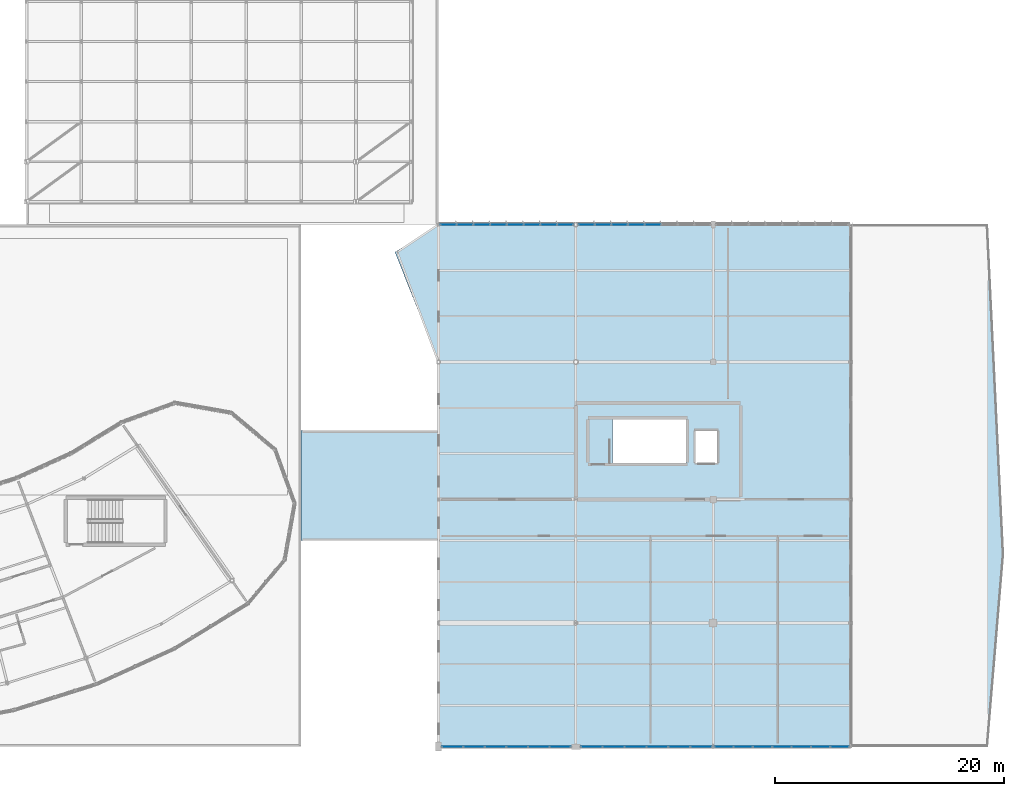
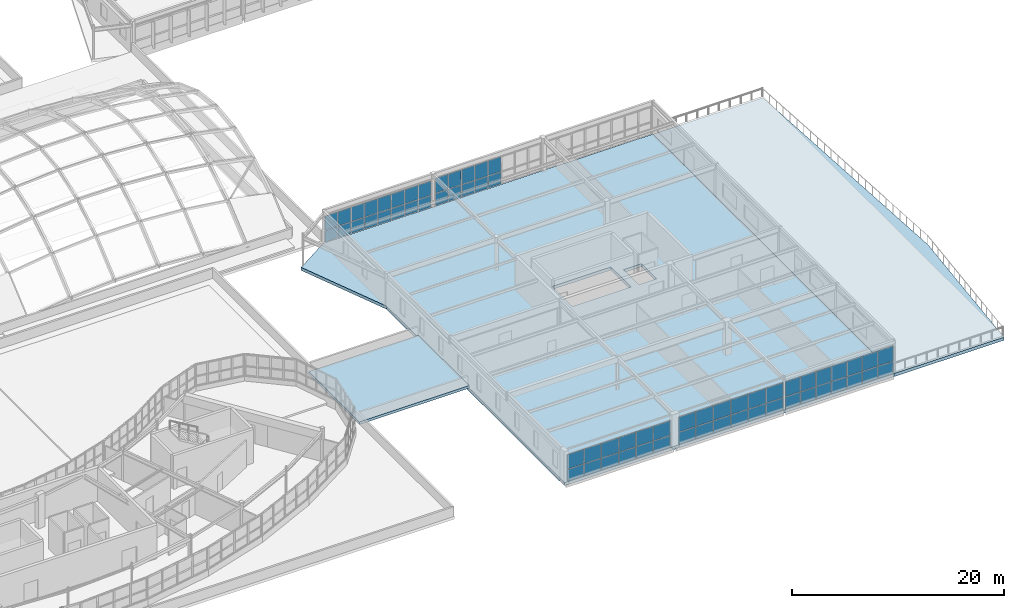
# One storey, part 80 of 128: 64 plates, 3 slabs, 5 elements without a shape of their own.
"""IFC4 building model written with IfcOpenShell, lengths in metres."""

from ifc_helpers import new_model, si_unit, direction, frame, origin, origin_2d, place, context, subcontext, project, spatial, polyline, rectangle, outline, extrude, material, layer, layer_set, type_object, element, aggregate, save


model = new_model("IFC4")

# Units and contexts
model_context = context("Model", 3, precision=1e-05, world=origin(), true_north=direction((0.0, 1.0)))
body_context = subcontext(model_context, "Body", "Model", "MODEL_VIEW")
ifc_project = project(units=[si_unit("LENGTHUNIT", "METRE"), si_unit("AREAUNIT", "SQUARE_METRE"), si_unit("VOLUMEUNIT", "CUBIC_METRE"), si_unit("PLANEANGLEUNIT", "RADIAN"), si_unit("MASSUNIT", "GRAM", prefix="KILO")], contexts=[model_context])

# Site, building, storey
site_placement = place(None, origin())
site = spatial("IfcSite", under=ifc_project, at=site_placement, CompositionType="ELEMENT")
building_placement = place(site_placement, origin())
building = spatial("IfcBuilding", under=site, at=building_placement, Name="Tarnwether General Hospital", CompositionType="ELEMENT")
storey_placement = place(building_placement, frame((0.0, 0.0, 14.39990234375)))
storey = spatial("IfcBuildingStorey", under=building, at=storey_placement, Name="L03", CompositionType="ELEMENT", Elevation=14.39990234375)

# Curtain wall, plates
ifc_material_1 = material(Name="Anodised aluminium", Category="aluminium")
ifc_layer_1 = layer(ifc_material_1, 0.159912109375)
ifc_layer_set_1 = layer_set([ifc_layer_1], Name="Anodised aluminium")
curtain_wall_type_1 = type_object("IfcCurtainWallType", Name="CW-18", PredefinedType="NOTDEFINED", material=ifc_layer_set_1)
curtain_wall_1_placement = place(storey_placement, origin())
curtain_wall_1 = element("IfcCurtainWall", 1, at=curtain_wall_1_placement, inside=storey, type_object=curtain_wall_type_1, Name="Curtain Wall CWG-L03-1441_456-0476", PredefinedType="NOTDEFINED")
ifc_material_2 = material(Name="Double glazed low-E glass", Category="glass")
ifc_layer_2 = layer(ifc_material_2, 0.028076171875)
ifc_layer_set_2 = layer_set([ifc_layer_2], Name="Double glazed low-E glass")
plate_type = type_object("IfcPlateType", Name="PT-CWP1", PredefinedType="CURTAIN_PANEL", material=ifc_layer_set_2)
plate_1_placement = place(storey_placement, frame((144.85546875, 45.60009765625, 0.06005859375), z_axis=(0.0, 0.0, 1.0), x_axis=(1.0, 0.0, 0.0)))
plate_1 = element("IfcPlate", 2, at=plate_1_placement, type_object=plate_type, Name="CW-18 panel 1.1", PredefinedType="CURTAIN_PANEL", context=body_context, shape_type="SweptSolid", body=[
    extrude(rectangle(XDim=1.373046875, YDim=0.028076171875, at=origin_2d()), origin(), (0.0, 0.0, 1.0), 1.323974609375),
])
plate_2_placement = place(storey_placement, frame((144.85546875, 45.60009765625, 1.44384765625), z_axis=(0.0, 0.0, 1.0), x_axis=(1.0, 0.0, 0.0)))
plate_2 = element("IfcPlate", 3, at=plate_2_placement, type_object=plate_type, Name="CW-18 panel 1.2", PredefinedType="CURTAIN_PANEL", context=body_context, shape_type="SweptSolid", body=[
    extrude(rectangle(XDim=1.373046875, YDim=0.028076171875, at=origin_2d()), origin(), (0.0, 0.0, 1.0), 1.63818359375),
])
plate_3_placement = place(storey_placement, frame((146.3037109375, 45.60009765625, 0.06005859375), z_axis=(0.0, 0.0, 1.0), x_axis=(1.0, 0.0, 0.0)))
plate_3 = element("IfcPlate", 4, at=plate_3_placement, type_object=plate_type, Name="CW-18 panel 2.1", PredefinedType="CURTAIN_PANEL", context=body_context, shape_type="SweptSolid", body=[
    extrude(rectangle(XDim=1.403076171875, YDim=0.028076171875, at=origin_2d()), origin(), (0.0, 0.0, 1.0), 1.323974609375),
])
plate_4_placement = place(storey_placement, frame((146.3037109375, 45.60009765625, 1.44384765625), z_axis=(0.0, 0.0, 1.0), x_axis=(1.0, 0.0, 0.0)))
plate_4 = element("IfcPlate", 5, at=plate_4_placement, type_object=plate_type, Name="CW-18 panel 2.2", PredefinedType="CURTAIN_PANEL", context=body_context, shape_type="SweptSolid", body=[
    extrude(rectangle(XDim=1.403076171875, YDim=0.028076171875, at=origin_2d()), origin(), (0.0, 0.0, 1.0), 1.63818359375),
])
plate_5_placement = place(storey_placement, frame((147.766845703125, 45.60009765625, 0.06005859375), z_axis=(0.0, 0.0, 1.0), x_axis=(1.0, 0.0, 0.0)))
plate_5 = element("IfcPlate", 6, at=plate_5_placement, type_object=plate_type, Name="CW-18 panel 3.1", PredefinedType="CURTAIN_PANEL", context=body_context, shape_type="SweptSolid", body=[
    extrude(rectangle(XDim=1.403076171875, YDim=0.028076171875, at=origin_2d()), origin(), (0.0, 0.0, 1.0), 1.323974609375),
])
plate_6_placement = place(storey_placement, frame((147.766845703125, 45.60009765625, 1.44384765625), z_axis=(0.0, 0.0, 1.0), x_axis=(1.0, 0.0, 0.0)))
plate_6 = element("IfcPlate", 7, at=plate_6_placement, type_object=plate_type, Name="CW-18 panel 3.2", PredefinedType="CURTAIN_PANEL", context=body_context, shape_type="SweptSolid", body=[
    extrude(rectangle(XDim=1.403076171875, YDim=0.028076171875, at=origin_2d()), origin(), (0.0, 0.0, 1.0), 1.63818359375),
])
plate_7_placement = place(storey_placement, frame((149.22998046875, 45.60009765625, 0.06005859375), z_axis=(0.0, 0.0, 1.0), x_axis=(1.0, 0.0, 0.0)))
plate_7 = element("IfcPlate", 8, at=plate_7_placement, type_object=plate_type, Name="CW-18 panel 4.1", PredefinedType="CURTAIN_PANEL", context=body_context, shape_type="SweptSolid", body=[
    extrude(rectangle(XDim=1.403076171875, YDim=0.028076171875, at=origin_2d()), origin(), (0.0, 0.0, 1.0), 1.323974609375),
])
plate_8_placement = place(storey_placement, frame((149.22998046875, 45.60009765625, 1.44384765625), z_axis=(0.0, 0.0, 1.0), x_axis=(1.0, 0.0, 0.0)))
plate_8 = element("IfcPlate", 9, at=plate_8_placement, type_object=plate_type, Name="CW-18 panel 4.2", PredefinedType="CURTAIN_PANEL", context=body_context, shape_type="SweptSolid", body=[
    extrude(rectangle(XDim=1.403076171875, YDim=0.028076171875, at=origin_2d()), origin(), (0.0, 0.0, 1.0), 1.63818359375),
])
plate_9_placement = place(storey_placement, frame((150.693115234375, 45.60009765625, 0.06005859375), z_axis=(0.0, 0.0, 1.0), x_axis=(1.0, 0.0, 0.0)))
plate_9 = element("IfcPlate", 10, at=plate_9_placement, type_object=plate_type, Name="CW-18 panel 5.1", PredefinedType="CURTAIN_PANEL", context=body_context, shape_type="SweptSolid", body=[
    extrude(rectangle(XDim=1.403076171875, YDim=0.028076171875, at=origin_2d()), origin(), (0.0, 0.0, 1.0), 1.323974609375),
])
plate_10_placement = place(storey_placement, frame((150.693115234375, 45.60009765625, 1.44384765625), z_axis=(0.0, 0.0, 1.0), x_axis=(1.0, 0.0, 0.0)))
plate_10 = element("IfcPlate", 11, at=plate_10_placement, type_object=plate_type, Name="CW-18 panel 5.2", PredefinedType="CURTAIN_PANEL", context=body_context, shape_type="SweptSolid", body=[
    extrude(rectangle(XDim=1.403076171875, YDim=0.028076171875, at=origin_2d()), origin(), (0.0, 0.0, 1.0), 1.63818359375),
])
plate_11_placement = place(storey_placement, frame((152.15625, 45.60009765625, 0.06005859375), z_axis=(0.0, 0.0, 1.0), x_axis=(1.0, 0.0, 0.0)))
plate_11 = element("IfcPlate", 12, at=plate_11_placement, type_object=plate_type, Name="CW-18 panel 6.1", PredefinedType="CURTAIN_PANEL", context=body_context, shape_type="SweptSolid", body=[
    extrude(rectangle(XDim=1.403076171875, YDim=0.028076171875, at=origin_2d()), origin(), (0.0, 0.0, 1.0), 1.323974609375),
])
plate_12_placement = place(storey_placement, frame((152.15625, 45.60009765625, 1.44384765625), z_axis=(0.0, 0.0, 1.0), x_axis=(1.0, 0.0, 0.0)))
plate_12 = element("IfcPlate", 13, at=plate_12_placement, type_object=plate_type, Name="CW-18 panel 6.2", PredefinedType="CURTAIN_PANEL", context=body_context, shape_type="SweptSolid", body=[
    extrude(rectangle(XDim=1.403076171875, YDim=0.028076171875, at=origin_2d()), origin(), (0.0, 0.0, 1.0), 1.63818359375),
])
plate_13_placement = place(storey_placement, frame((153.619384765625, 45.60009765625, 0.06005859375), z_axis=(0.0, 0.0, 1.0), x_axis=(1.0, 0.0, 0.0)))
plate_13 = element("IfcPlate", 14, at=plate_13_placement, type_object=plate_type, Name="CW-18 panel 7.1", PredefinedType="CURTAIN_PANEL", context=body_context, shape_type="SweptSolid", body=[
    extrude(rectangle(XDim=1.403076171875, YDim=0.028076171875, at=origin_2d()), origin(), (0.0, 0.0, 1.0), 1.323974609375),
])
plate_14_placement = place(storey_placement, frame((153.619384765625, 45.60009765625, 1.44384765625), z_axis=(0.0, 0.0, 1.0), x_axis=(1.0, 0.0, 0.0)))
plate_14 = element("IfcPlate", 15, at=plate_14_placement, type_object=plate_type, Name="CW-18 panel 7.2", PredefinedType="CURTAIN_PANEL", context=body_context, shape_type="SweptSolid", body=[
    extrude(rectangle(XDim=1.403076171875, YDim=0.028076171875, at=origin_2d()), origin(), (0.0, 0.0, 1.0), 1.63818359375),
])
plate_15_placement = place(storey_placement, frame((155.0673828125, 45.60009765625, 0.06005859375), z_axis=(0.0, 0.0, 1.0), x_axis=(1.0, 0.0, 0.0)))
plate_15 = element("IfcPlate", 16, at=plate_15_placement, type_object=plate_type, Name="CW-18 panel 8.1", PredefinedType="CURTAIN_PANEL", context=body_context, shape_type="SweptSolid", body=[
    extrude(rectangle(XDim=1.373046875, YDim=0.028076171875, at=origin_2d()), origin(), (0.0, 0.0, 1.0), 1.323974609375),
])
plate_16_placement = place(storey_placement, frame((155.0673828125, 45.60009765625, 1.44384765625), z_axis=(0.0, 0.0, 1.0), x_axis=(1.0, 0.0, 0.0)))
plate_16 = element("IfcPlate", 17, at=plate_16_placement, type_object=plate_type, Name="CW-18 panel 8.2", PredefinedType="CURTAIN_PANEL", context=body_context, shape_type="SweptSolid", body=[
    extrude(rectangle(XDim=1.373046875, YDim=0.028076171875, at=origin_2d()), origin(), (0.0, 0.0, 1.0), 1.63818359375),
])
aggregate(curtain_wall_1, [plate_1, plate_2, plate_3, plate_4, plate_5, plate_6, plate_7, plate_8, plate_9, plate_10, plate_11, plate_12, plate_13, plate_14, plate_15, plate_16])

curtain_wall_2_placement = place(storey_placement, origin())
curtain_wall_2 = element("IfcCurtainWall", 18, at=curtain_wall_2_placement, inside=storey, type_object=curtain_wall_type_1, Name="Curtain Wall CWG-L03-1562_456-0477", PredefinedType="NOTDEFINED")
plate_17_placement = place(storey_placement, frame((156.92626953125, 45.60009765625, 0.06005859375), z_axis=(0.0, 0.0, 1.0), x_axis=(1.0, 0.0, 0.0)))
plate_17 = element("IfcPlate", 19, at=plate_17_placement, type_object=plate_type, Name="CW-18 panel 1.1", PredefinedType="CURTAIN_PANEL", context=body_context, shape_type="SweptSolid", body=[
    extrude(rectangle(XDim=1.36083984375, YDim=0.028076171875, at=origin_2d()), origin(), (0.0, 0.0, 1.0), 1.3828125),
])
plate_18_placement = place(storey_placement, frame((156.92626953125, 45.60009765625, 1.5029296875), z_axis=(0.0, 0.0, 1.0), x_axis=(1.0, 0.0, 0.0)))
plate_18 = element("IfcPlate", 20, at=plate_18_placement, type_object=plate_type, Name="CW-18 panel 1.2", PredefinedType="CURTAIN_PANEL", context=body_context, shape_type="SweptSolid", body=[
    extrude(rectangle(XDim=1.36083984375, YDim=0.028076171875, at=origin_2d()), origin(), (0.0, 0.0, 1.0), 1.710205078125),
])
plate_19_placement = place(storey_placement, frame((158.362060546875, 45.60009765625, 0.06005859375), z_axis=(0.0, 0.0, 1.0), x_axis=(1.0, 0.0, 0.0)))
plate_19 = element("IfcPlate", 21, at=plate_19_placement, type_object=plate_type, Name="CW-18 panel 2.1", PredefinedType="CURTAIN_PANEL", context=body_context, shape_type="SweptSolid", body=[
    extrude(rectangle(XDim=1.390869140625, YDim=0.028076171875, at=origin_2d()), origin(), (0.0, 0.0, 1.0), 1.3828125),
])
plate_20_placement = place(storey_placement, frame((158.362060546875, 45.60009765625, 1.5029296875), z_axis=(0.0, 0.0, 1.0), x_axis=(1.0, 0.0, 0.0)))
plate_20 = element("IfcPlate", 22, at=plate_20_placement, type_object=plate_type, Name="CW-18 panel 2.2", PredefinedType="CURTAIN_PANEL", context=body_context, shape_type="SweptSolid", body=[
    extrude(rectangle(XDim=1.390869140625, YDim=0.028076171875, at=origin_2d()), origin(), (0.0, 0.0, 1.0), 1.710205078125),
])
plate_21_placement = place(storey_placement, frame((159.81298828125, 45.60009765625, 0.06005859375), z_axis=(0.0, 0.0, 1.0), x_axis=(1.0, 0.0, 0.0)))
plate_21 = element("IfcPlate", 23, at=plate_21_placement, type_object=plate_type, Name="CW-18 panel 3.1", PredefinedType="CURTAIN_PANEL", context=body_context, shape_type="SweptSolid", body=[
    extrude(rectangle(XDim=1.390869140625, YDim=0.028076171875, at=origin_2d()), origin(), (0.0, 0.0, 1.0), 1.3828125),
])
plate_22_placement = place(storey_placement, frame((159.81298828125, 45.60009765625, 1.5029296875), z_axis=(0.0, 0.0, 1.0), x_axis=(1.0, 0.0, 0.0)))
plate_22 = element("IfcPlate", 24, at=plate_22_placement, type_object=plate_type, Name="CW-18 panel 3.2", PredefinedType="CURTAIN_PANEL", context=body_context, shape_type="SweptSolid", body=[
    extrude(rectangle(XDim=1.390869140625, YDim=0.028076171875, at=origin_2d()), origin(), (0.0, 0.0, 1.0), 1.710205078125),
])
plate_23_placement = place(storey_placement, frame((161.263671875, 45.60009765625, 0.06005859375), z_axis=(0.0, 0.0, 1.0), x_axis=(1.0, 0.0, 0.0)))
plate_23 = element("IfcPlate", 25, at=plate_23_placement, type_object=plate_type, Name="CW-18 panel 4.1", PredefinedType="CURTAIN_PANEL", context=body_context, shape_type="SweptSolid", body=[
    extrude(rectangle(XDim=1.390869140625, YDim=0.028076171875, at=origin_2d()), origin(), (0.0, 0.0, 1.0), 1.3828125),
])
plate_24_placement = place(storey_placement, frame((161.263671875, 45.60009765625, 1.5029296875), z_axis=(0.0, 0.0, 1.0), x_axis=(1.0, 0.0, 0.0)))
plate_24 = element("IfcPlate", 26, at=plate_24_placement, type_object=plate_type, Name="CW-18 panel 4.2", PredefinedType="CURTAIN_PANEL", context=body_context, shape_type="SweptSolid", body=[
    extrude(rectangle(XDim=1.390869140625, YDim=0.028076171875, at=origin_2d()), origin(), (0.0, 0.0, 1.0), 1.710205078125),
])
plate_25_placement = place(storey_placement, frame((162.71435546875, 45.60009765625, 0.06005859375), z_axis=(0.0, 0.0, 1.0), x_axis=(1.0, 0.0, 0.0)))
plate_25 = element("IfcPlate", 27, at=plate_25_placement, type_object=plate_type, Name="CW-18 panel 5.1", PredefinedType="CURTAIN_PANEL", context=body_context, shape_type="SweptSolid", body=[
    extrude(rectangle(XDim=1.390869140625, YDim=0.028076171875, at=origin_2d()), origin(), (0.0, 0.0, 1.0), 1.3828125),
])
plate_26_placement = place(storey_placement, frame((162.71435546875, 45.60009765625, 1.5029296875), z_axis=(0.0, 0.0, 1.0), x_axis=(1.0, 0.0, 0.0)))
plate_26 = element("IfcPlate", 28, at=plate_26_placement, type_object=plate_type, Name="CW-18 panel 5.2", PredefinedType="CURTAIN_PANEL", context=body_context, shape_type="SweptSolid", body=[
    extrude(rectangle(XDim=1.390869140625, YDim=0.028076171875, at=origin_2d()), origin(), (0.0, 0.0, 1.0), 1.710205078125),
])
aggregate(curtain_wall_2, [plate_17, plate_18, plate_19, plate_20, plate_21, plate_22, plate_23, plate_24, plate_25, plate_26])

ifc_material_3 = material(Name="Anodised aluminium", Category="aluminium")
ifc_layer_3 = layer(ifc_material_3, 0.159912109375)
ifc_layer_set_3 = layer_set([ifc_layer_3], Name="Anodised aluminium")
curtain_wall_type_2 = type_object("IfcCurtainWallType", Name="CW-19", PredefinedType="NOTDEFINED", material=ifc_layer_set_3)
curtain_wall_3_placement = place(storey_placement, origin())
curtain_wall_3 = element("IfcCurtainWall", 29, at=curtain_wall_3_placement, inside=storey, type_object=curtain_wall_type_2, Name="Curtain Wall CWG-L03-1799_0-0479", PredefinedType="NOTDEFINED")
plate_27_placement = place(storey_placement, frame((179.052978515625, 0.0, 0.06005859375), z_axis=(0.0, 0.0, 1.0), x_axis=(-1.0, 0.0, 0.0)))
plate_27 = element("IfcPlate", 30, at=plate_27_placement, type_object=plate_type, Name="CW-19 panel 1.1", PredefinedType="CURTAIN_PANEL", context=body_context, shape_type="SweptSolid", body=[
    extrude(rectangle(XDim=1.60009765625, YDim=0.028076171875, at=origin_2d()), origin(), (0.0, 0.0, 1.0), 1.385009765625),
])
plate_28_placement = place(storey_placement, frame((179.052978515625, 0.0, 1.505126953125), z_axis=(0.0, 0.0, 1.0), x_axis=(-1.0, 0.0, 0.0)))
plate_28 = element("IfcPlate", 31, at=plate_28_placement, type_object=plate_type, Name="CW-19 panel 1.2", PredefinedType="CURTAIN_PANEL", context=body_context, shape_type="SweptSolid", body=[
    extrude(rectangle(XDim=1.60009765625, YDim=0.028076171875, at=origin_2d()), origin(), (0.0, 0.0, 1.0), 1.712890625),
])
plate_29_placement = place(storey_placement, frame((177.3779296875, 0.0, 0.06005859375), z_axis=(0.0, 0.0, 1.0), x_axis=(-1.0, 0.0, 0.0)))
plate_29 = element("IfcPlate", 32, at=plate_29_placement, type_object=plate_type, Name="CW-19 panel 2.1", PredefinedType="CURTAIN_PANEL", context=body_context, shape_type="SweptSolid", body=[
    extrude(rectangle(XDim=1.6298828125, YDim=0.028076171875, at=origin_2d()), origin(), (0.0, 0.0, 1.0), 1.385009765625),
])
plate_30_placement = place(storey_placement, frame((177.3779296875, 0.0, 1.505126953125), z_axis=(0.0, 0.0, 1.0), x_axis=(-1.0, 0.0, 0.0)))
plate_30 = element("IfcPlate", 33, at=plate_30_placement, type_object=plate_type, Name="CW-19 panel 2.2", PredefinedType="CURTAIN_PANEL", context=body_context, shape_type="SweptSolid", body=[
    extrude(rectangle(XDim=1.6298828125, YDim=0.028076171875, at=origin_2d()), origin(), (0.0, 0.0, 1.0), 1.712890625),
])
plate_31_placement = place(storey_placement, frame((175.68798828125, 0.0, 0.06005859375), z_axis=(0.0, 0.0, 1.0), x_axis=(-1.0, 0.0, 0.0)))
plate_31 = element("IfcPlate", 34, at=plate_31_placement, type_object=plate_type, Name="CW-19 panel 3.1", PredefinedType="CURTAIN_PANEL", context=body_context, shape_type="SweptSolid", body=[
    extrude(rectangle(XDim=1.6298828125, YDim=0.028076171875, at=origin_2d()), origin(), (0.0, 0.0, 1.0), 1.385009765625),
])
plate_32_placement = place(storey_placement, frame((175.68798828125, 0.0, 1.505126953125), z_axis=(0.0, 0.0, 1.0), x_axis=(-1.0, 0.0, 0.0)))
plate_32 = element("IfcPlate", 35, at=plate_32_placement, type_object=plate_type, Name="CW-19 panel 3.2", PredefinedType="CURTAIN_PANEL", context=body_context, shape_type="SweptSolid", body=[
    extrude(rectangle(XDim=1.6298828125, YDim=0.028076171875, at=origin_2d()), origin(), (0.0, 0.0, 1.0), 1.712890625),
])
plate_33_placement = place(storey_placement, frame((173.998046875, 0.0, 0.06005859375), z_axis=(0.0, 0.0, 1.0), x_axis=(-1.0, 0.0, 0.0)))
plate_33 = element("IfcPlate", 36, at=plate_33_placement, type_object=plate_type, Name="CW-19 panel 4.1", PredefinedType="CURTAIN_PANEL", context=body_context, shape_type="SweptSolid", body=[
    extrude(rectangle(XDim=1.6298828125, YDim=0.028076171875, at=origin_2d()), origin(), (0.0, 0.0, 1.0), 1.385009765625),
])
plate_34_placement = place(storey_placement, frame((173.998046875, 0.0, 1.505126953125), z_axis=(0.0, 0.0, 1.0), x_axis=(-1.0, 0.0, 0.0)))
plate_34 = element("IfcPlate", 37, at=plate_34_placement, type_object=plate_type, Name="CW-19 panel 4.2", PredefinedType="CURTAIN_PANEL", context=body_context, shape_type="SweptSolid", body=[
    extrude(rectangle(XDim=1.6298828125, YDim=0.028076171875, at=origin_2d()), origin(), (0.0, 0.0, 1.0), 1.712890625),
])
plate_35_placement = place(storey_placement, frame((172.30810546875, 0.0, 0.06005859375), z_axis=(0.0, 0.0, 1.0), x_axis=(-1.0, 0.0, 0.0)))
plate_35 = element("IfcPlate", 38, at=plate_35_placement, type_object=plate_type, Name="CW-19 panel 5.1", PredefinedType="CURTAIN_PANEL", context=body_context, shape_type="SweptSolid", body=[
    extrude(rectangle(XDim=1.6298828125, YDim=0.028076171875, at=origin_2d()), origin(), (0.0, 0.0, 1.0), 1.385009765625),
])
plate_36_placement = place(storey_placement, frame((172.30810546875, 0.0, 1.505126953125), z_axis=(0.0, 0.0, 1.0), x_axis=(-1.0, 0.0, 0.0)))
plate_36 = element("IfcPlate", 39, at=plate_36_placement, type_object=plate_type, Name="CW-19 panel 5.2", PredefinedType="CURTAIN_PANEL", context=body_context, shape_type="SweptSolid", body=[
    extrude(rectangle(XDim=1.6298828125, YDim=0.028076171875, at=origin_2d()), origin(), (0.0, 0.0, 1.0), 1.712890625),
])
plate_37_placement = place(storey_placement, frame((170.617919921875, 0.0, 0.06005859375), z_axis=(0.0, 0.0, 1.0), x_axis=(-1.0, 0.0, 0.0)))
plate_37 = element("IfcPlate", 40, at=plate_37_placement, type_object=plate_type, Name="CW-19 panel 6.1", PredefinedType="CURTAIN_PANEL", context=body_context, shape_type="SweptSolid", body=[
    extrude(rectangle(XDim=1.6298828125, YDim=0.028076171875, at=origin_2d()), origin(), (0.0, 0.0, 1.0), 1.385009765625),
])
plate_38_placement = place(storey_placement, frame((170.617919921875, 0.0, 1.505126953125), z_axis=(0.0, 0.0, 1.0), x_axis=(-1.0, 0.0, 0.0)))
plate_38 = element("IfcPlate", 41, at=plate_38_placement, type_object=plate_type, Name="CW-19 panel 6.2", PredefinedType="CURTAIN_PANEL", context=body_context, shape_type="SweptSolid", body=[
    extrude(rectangle(XDim=1.6298828125, YDim=0.028076171875, at=origin_2d()), origin(), (0.0, 0.0, 1.0), 1.712890625),
])
plate_39_placement = place(storey_placement, frame((168.943115234375, 0.0, 0.06005859375), z_axis=(0.0, 0.0, 1.0), x_axis=(-1.0, 0.0, 0.0)))
plate_39 = element("IfcPlate", 42, at=plate_39_placement, type_object=plate_type, Name="CW-19 panel 7.1", PredefinedType="CURTAIN_PANEL", context=body_context, shape_type="SweptSolid", body=[
    extrude(rectangle(XDim=1.60009765625, YDim=0.028076171875, at=origin_2d()), origin(), (0.0, 0.0, 1.0), 1.385009765625),
])
plate_40_placement = place(storey_placement, frame((168.943115234375, 0.0, 1.505126953125), z_axis=(0.0, 0.0, 1.0), x_axis=(-1.0, 0.0, 0.0)))
plate_40 = element("IfcPlate", 43, at=plate_40_placement, type_object=plate_type, Name="CW-19 panel 7.2", PredefinedType="CURTAIN_PANEL", context=body_context, shape_type="SweptSolid", body=[
    extrude(rectangle(XDim=1.60009765625, YDim=0.028076171875, at=origin_2d()), origin(), (0.0, 0.0, 1.0), 1.712890625),
])
aggregate(curtain_wall_3, [plate_27, plate_28, plate_29, plate_30, plate_31, plate_32, plate_33, plate_34, plate_35, plate_36, plate_37, plate_38, plate_39, plate_40])

curtain_wall_4_placement = place(storey_placement, origin())
curtain_wall_4 = element("IfcCurtainWall", 44, at=curtain_wall_4_placement, inside=storey, type_object=curtain_wall_type_2, Name="Curtain Wall CWG-L03-1679_0-0480", PredefinedType="NOTDEFINED")
plate_41_placement = place(storey_placement, frame((166.94287109375, 0.0, 0.06005859375), z_axis=(0.0, 0.0, 1.0), x_axis=(-1.0, 0.0, 0.0)))
plate_41 = element("IfcPlate", 45, at=plate_41_placement, type_object=plate_type, Name="CW-19 panel 1.1", PredefinedType="CURTAIN_PANEL", context=body_context, shape_type="SweptSolid", body=[
    extrude(rectangle(XDim=1.828125, YDim=0.028076171875, at=origin_2d()), origin(), (0.0, 0.0, 1.0), 1.385009765625),
])
plate_42_placement = place(storey_placement, frame((166.94287109375, 0.0, 1.505126953125), z_axis=(0.0, 0.0, 1.0), x_axis=(-1.0, 0.0, 0.0)))
plate_42 = element("IfcPlate", 46, at=plate_42_placement, type_object=plate_type, Name="CW-19 panel 1.2", PredefinedType="CURTAIN_PANEL", context=body_context, shape_type="SweptSolid", body=[
    extrude(rectangle(XDim=1.828125, YDim=0.028076171875, at=origin_2d()), origin(), (0.0, 0.0, 1.0), 1.712890625),
])
plate_43_placement = place(storey_placement, frame((165.039794921875, 0.0, 0.06005859375), z_axis=(0.0, 0.0, 1.0), x_axis=(-1.0, 0.0, 0.0)))
plate_43 = element("IfcPlate", 47, at=plate_43_placement, type_object=plate_type, Name="CW-19 panel 2.1", PredefinedType="CURTAIN_PANEL", context=body_context, shape_type="SweptSolid", body=[
    extrude(rectangle(XDim=1.858154296875, YDim=0.028076171875, at=origin_2d()), origin(), (0.0, 0.0, 1.0), 1.385009765625),
])
plate_44_placement = place(storey_placement, frame((165.039794921875, 0.0, 1.505126953125), z_axis=(0.0, 0.0, 1.0), x_axis=(-1.0, 0.0, 0.0)))
plate_44 = element("IfcPlate", 48, at=plate_44_placement, type_object=plate_type, Name="CW-19 panel 2.2", PredefinedType="CURTAIN_PANEL", context=body_context, shape_type="SweptSolid", body=[
    extrude(rectangle(XDim=1.858154296875, YDim=0.028076171875, at=origin_2d()), origin(), (0.0, 0.0, 1.0), 1.712890625),
])
plate_45_placement = place(storey_placement, frame((163.12158203125, 0.0, 0.06005859375), z_axis=(0.0, 0.0, 1.0), x_axis=(-1.0, 0.0, 0.0)))
plate_45 = element("IfcPlate", 49, at=plate_45_placement, type_object=plate_type, Name="CW-19 panel 3.1", PredefinedType="CURTAIN_PANEL", context=body_context, shape_type="SweptSolid", body=[
    extrude(rectangle(XDim=1.858154296875, YDim=0.028076171875, at=origin_2d()), origin(), (0.0, 0.0, 1.0), 1.385009765625),
])
plate_46_placement = place(storey_placement, frame((163.12158203125, 0.0, 1.505126953125), z_axis=(0.0, 0.0, 1.0), x_axis=(-1.0, 0.0, 0.0)))
plate_46 = element("IfcPlate", 50, at=plate_46_placement, type_object=plate_type, Name="CW-19 panel 3.2", PredefinedType="CURTAIN_PANEL", context=body_context, shape_type="SweptSolid", body=[
    extrude(rectangle(XDim=1.858154296875, YDim=0.028076171875, at=origin_2d()), origin(), (0.0, 0.0, 1.0), 1.712890625),
])
plate_47_placement = place(storey_placement, frame((161.203369140625, 0.0, 0.06005859375), z_axis=(0.0, 0.0, 1.0), x_axis=(-1.0, 0.0, 0.0)))
plate_47 = element("IfcPlate", 51, at=plate_47_placement, type_object=plate_type, Name="CW-19 panel 4.1", PredefinedType="CURTAIN_PANEL", context=body_context, shape_type="SweptSolid", body=[
    extrude(rectangle(XDim=1.858154296875, YDim=0.028076171875, at=origin_2d()), origin(), (0.0, 0.0, 1.0), 1.385009765625),
])
plate_48_placement = place(storey_placement, frame((161.203369140625, 0.0, 1.505126953125), z_axis=(0.0, 0.0, 1.0), x_axis=(-1.0, 0.0, 0.0)))
plate_48 = element("IfcPlate", 52, at=plate_48_placement, type_object=plate_type, Name="CW-19 panel 4.2", PredefinedType="CURTAIN_PANEL", context=body_context, shape_type="SweptSolid", body=[
    extrude(rectangle(XDim=1.858154296875, YDim=0.028076171875, at=origin_2d()), origin(), (0.0, 0.0, 1.0), 1.712890625),
])
plate_49_placement = place(storey_placement, frame((159.28515625, 0.0, 0.06005859375), z_axis=(0.0, 0.0, 1.0), x_axis=(-1.0, 0.0, 0.0)))
plate_49 = element("IfcPlate", 53, at=plate_49_placement, type_object=plate_type, Name="CW-19 panel 5.1", PredefinedType="CURTAIN_PANEL", context=body_context, shape_type="SweptSolid", body=[
    extrude(rectangle(XDim=1.858154296875, YDim=0.028076171875, at=origin_2d()), origin(), (0.0, 0.0, 1.0), 1.385009765625),
])
plate_50_placement = place(storey_placement, frame((159.28515625, 0.0, 1.505126953125), z_axis=(0.0, 0.0, 1.0), x_axis=(-1.0, 0.0, 0.0)))
plate_50 = element("IfcPlate", 54, at=plate_50_placement, type_object=plate_type, Name="CW-19 panel 5.2", PredefinedType="CURTAIN_PANEL", context=body_context, shape_type="SweptSolid", body=[
    extrude(rectangle(XDim=1.858154296875, YDim=0.028076171875, at=origin_2d()), origin(), (0.0, 0.0, 1.0), 1.712890625),
])
plate_51_placement = place(storey_placement, frame((157.382080078125, 0.0, 0.06005859375), z_axis=(0.0, 0.0, 1.0), x_axis=(-1.0, 0.0, 0.0)))
plate_51 = element("IfcPlate", 55, at=plate_51_placement, type_object=plate_type, Name="CW-19 panel 6.1", PredefinedType="CURTAIN_PANEL", context=body_context, shape_type="SweptSolid", body=[
    extrude(rectangle(XDim=1.828125, YDim=0.028076171875, at=origin_2d()), origin(), (0.0, 0.0, 1.0), 1.385009765625),
])
plate_52_placement = place(storey_placement, frame((157.382080078125, 0.0, 1.505126953125), z_axis=(0.0, 0.0, 1.0), x_axis=(-1.0, 0.0, 0.0)))
plate_52 = element("IfcPlate", 56, at=plate_52_placement, type_object=plate_type, Name="CW-19 panel 6.2", PredefinedType="CURTAIN_PANEL", context=body_context, shape_type="SweptSolid", body=[
    extrude(rectangle(XDim=1.828125, YDim=0.028076171875, at=origin_2d()), origin(), (0.0, 0.0, 1.0), 1.712890625),
])
aggregate(curtain_wall_4, [plate_41, plate_42, plate_43, plate_44, plate_45, plate_46, plate_47, plate_48, plate_49, plate_50, plate_51, plate_52])

curtain_wall_5_placement = place(storey_placement, origin())
curtain_wall_5 = element("IfcCurtainWall", 57, at=curtain_wall_5_placement, inside=storey, type_object=curtain_wall_type_2, Name="Curtain Wall CWG-L03-1556_0-0481", PredefinedType="NOTDEFINED")
plate_53_placement = place(storey_placement, frame((154.632568359375, 0.0, 0.06005859375), z_axis=(0.0, 0.0, 1.0), x_axis=(-1.0, 0.0, 0.0)))
plate_53 = element("IfcPlate", 58, at=plate_53_placement, type_object=plate_type, Name="CW-19 panel 1.1", PredefinedType="CURTAIN_PANEL", context=body_context, shape_type="SweptSolid", body=[
    extrude(rectangle(XDim=1.799072265625, YDim=0.028076171875, at=origin_2d()), origin(), (0.0, 0.0, 1.0), 1.346923828125),
])
plate_54_placement = place(storey_placement, frame((154.632568359375, 0.0, 1.467041015625), z_axis=(0.0, 0.0, 1.0), x_axis=(-1.0, 0.0, 0.0)))
plate_54 = element("IfcPlate", 59, at=plate_54_placement, type_object=plate_type, Name="CW-19 panel 1.2", PredefinedType="CURTAIN_PANEL", context=body_context, shape_type="SweptSolid", body=[
    extrude(rectangle(XDim=1.799072265625, YDim=0.028076171875, at=origin_2d()), origin(), (0.0, 0.0, 1.0), 1.666015625),
])
plate_55_placement = place(storey_placement, frame((152.758544921875, 0.0, 0.06005859375), z_axis=(0.0, 0.0, 1.0), x_axis=(-1.0, 0.0, 0.0)))
plate_55 = element("IfcPlate", 60, at=plate_55_placement, type_object=plate_type, Name="CW-19 panel 2.1", PredefinedType="CURTAIN_PANEL", context=body_context, shape_type="SweptSolid", body=[
    extrude(rectangle(XDim=1.8291015625, YDim=0.028076171875, at=origin_2d()), origin(), (0.0, 0.0, 1.0), 1.346923828125),
])
plate_56_placement = place(storey_placement, frame((152.758544921875, 0.0, 1.467041015625), z_axis=(0.0, 0.0, 1.0), x_axis=(-1.0, 0.0, 0.0)))
plate_56 = element("IfcPlate", 61, at=plate_56_placement, type_object=plate_type, Name="CW-19 panel 2.2", PredefinedType="CURTAIN_PANEL", context=body_context, shape_type="SweptSolid", body=[
    extrude(rectangle(XDim=1.8291015625, YDim=0.028076171875, at=origin_2d()), origin(), (0.0, 0.0, 1.0), 1.666015625),
])
plate_57_placement = place(storey_placement, frame((150.869384765625, 0.0, 0.06005859375), z_axis=(0.0, 0.0, 1.0), x_axis=(-1.0, 0.0, 0.0)))
plate_57 = element("IfcPlate", 62, at=plate_57_placement, type_object=plate_type, Name="CW-19 panel 3.1", PredefinedType="CURTAIN_PANEL", context=body_context, shape_type="SweptSolid", body=[
    extrude(rectangle(XDim=1.8291015625, YDim=0.028076171875, at=origin_2d()), origin(), (0.0, 0.0, 1.0), 1.346923828125),
])
plate_58_placement = place(storey_placement, frame((150.869384765625, 0.0, 1.467041015625), z_axis=(0.0, 0.0, 1.0), x_axis=(-1.0, 0.0, 0.0)))
plate_58 = element("IfcPlate", 63, at=plate_58_placement, type_object=plate_type, Name="CW-19 panel 3.2", PredefinedType="CURTAIN_PANEL", context=body_context, shape_type="SweptSolid", body=[
    extrude(rectangle(XDim=1.8291015625, YDim=0.028076171875, at=origin_2d()), origin(), (0.0, 0.0, 1.0), 1.666015625),
])
plate_59_placement = place(storey_placement, frame((148.98046875, 0.0, 0.06005859375), z_axis=(0.0, 0.0, 1.0), x_axis=(-1.0, 0.0, 0.0)))
plate_59 = element("IfcPlate", 64, at=plate_59_placement, type_object=plate_type, Name="CW-19 panel 4.1", PredefinedType="CURTAIN_PANEL", context=body_context, shape_type="SweptSolid", body=[
    extrude(rectangle(XDim=1.8291015625, YDim=0.028076171875, at=origin_2d()), origin(), (0.0, 0.0, 1.0), 1.346923828125),
])
plate_60_placement = place(storey_placement, frame((148.98046875, 0.0, 1.467041015625), z_axis=(0.0, 0.0, 1.0), x_axis=(-1.0, 0.0, 0.0)))
plate_60 = element("IfcPlate", 65, at=plate_60_placement, type_object=plate_type, Name="CW-19 panel 4.2", PredefinedType="CURTAIN_PANEL", context=body_context, shape_type="SweptSolid", body=[
    extrude(rectangle(XDim=1.8291015625, YDim=0.028076171875, at=origin_2d()), origin(), (0.0, 0.0, 1.0), 1.666015625),
])
plate_61_placement = place(storey_placement, frame((147.091552734375, 0.0, 0.06005859375), z_axis=(0.0, 0.0, 1.0), x_axis=(-1.0, 0.0, 0.0)))
plate_61 = element("IfcPlate", 66, at=plate_61_placement, type_object=plate_type, Name="CW-19 panel 5.1", PredefinedType="CURTAIN_PANEL", context=body_context, shape_type="SweptSolid", body=[
    extrude(rectangle(XDim=1.8291015625, YDim=0.028076171875, at=origin_2d()), origin(), (0.0, 0.0, 1.0), 1.346923828125),
])
plate_62_placement = place(storey_placement, frame((147.091552734375, 0.0, 1.467041015625), z_axis=(0.0, 0.0, 1.0), x_axis=(-1.0, 0.0, 0.0)))
plate_62 = element("IfcPlate", 67, at=plate_62_placement, type_object=plate_type, Name="CW-19 panel 5.2", PredefinedType="CURTAIN_PANEL", context=body_context, shape_type="SweptSolid", body=[
    extrude(rectangle(XDim=1.8291015625, YDim=0.028076171875, at=origin_2d()), origin(), (0.0, 0.0, 1.0), 1.666015625),
])
plate_63_placement = place(storey_placement, frame((145.217529296875, 0.0, 0.06005859375), z_axis=(0.0, 0.0, 1.0), x_axis=(-1.0, 0.0, 0.0)))
plate_63 = element("IfcPlate", 68, at=plate_63_placement, type_object=plate_type, Name="CW-19 panel 6.1", PredefinedType="CURTAIN_PANEL", context=body_context, shape_type="SweptSolid", body=[
    extrude(rectangle(XDim=1.799072265625, YDim=0.028076171875, at=origin_2d()), origin(), (0.0, 0.0, 1.0), 1.346923828125),
])
plate_64_placement = place(storey_placement, frame((145.217529296875, 0.0, 1.467041015625), z_axis=(0.0, 0.0, 1.0), x_axis=(-1.0, 0.0, 0.0)))
plate_64 = element("IfcPlate", 69, at=plate_64_placement, type_object=plate_type, Name="CW-19 panel 6.2", PredefinedType="CURTAIN_PANEL", context=body_context, shape_type="SweptSolid", body=[
    extrude(rectangle(XDim=1.799072265625, YDim=0.028076171875, at=origin_2d()), origin(), (0.0, 0.0, 1.0), 1.666015625),
])
aggregate(curtain_wall_5, [plate_53, plate_54, plate_55, plate_56, plate_57, plate_58, plate_59, plate_60, plate_61, plate_62, plate_63, plate_64])

# Slabs
ifc_material_4 = material(Name="Concrete 40 MPa", Category="concrete")
ifc_layer_4 = layer(ifc_material_4, 0.35498046875)
ifc_layer_set_4 = layer_set([ifc_layer_4], Name="Concrete 40 MPa")
slab_type_1 = type_object("IfcSlabType", Name="SL-FL220", PredefinedType="FLOOR", material=ifc_layer_set_4)
slab_1_placement = place(storey_placement, frame((0.0, 0.0, -0.35498046875)))
element("IfcSlab", 70, at=slab_1_placement, inside=storey, type_object=slab_type_1, Name="L03 Outpatient South Specialist Shard Floor SL-L03-V6S", PredefinedType="FLOOR", context=body_context, shape_type="SweptSolid", body=[
    extrude(outline(polyline([(144.0, 33.60009765625), (140.199951171875, 43.199951171875), (144.0, 45.60009765625), (180.0, 45.60009765625), (180.0, 0.0), (144.0, 0.0), (144.0, 33.60009765625)]), holes=[polyline([(168.3798828125, 27.6298828125), (166.419921875, 27.6298828125), (166.419921875, 24.77001953125), (168.3798828125, 24.77001953125), (168.3798828125, 27.6298828125)]), polyline([(165.60009765625, 28.60009765625), (159.179931640625, 28.60009765625), (159.179931640625, 24.800048828125), (165.60009765625, 24.800048828125), (165.60009765625, 28.60009765625)])]), origin(), (0.0, 0.0, 1.0), 0.35498046875),
])
ifc_material_5 = material(Name="Concrete 40 MPa", Category="concrete")
ifc_layer_5 = layer(ifc_material_5, 0.31005859375)
ifc_layer_set_5 = layer_set([ifc_layer_5], Name="Concrete 40 MPa")
slab_type_2 = type_object("IfcSlabType", Name="SL-RF160", PredefinedType="ROOF", material=ifc_layer_set_5)
slab_2_placement = place(storey_placement, origin())
element("IfcSlab", 71, at=slab_2_placement, inside=storey, type_object=slab_type_2, Name="South Court Bridge Roof SL-L03-BRSRF", PredefinedType="ROOF", context=body_context, shape_type="SweptSolid", body=[
    extrude(outline(polyline([(144.0, 18.0), (144.0, 27.60009765625), (132.0, 27.60009765625), (132.0, 18.0), (144.0, 18.0)])), origin(), (0.0, 0.0, 1.0), 0.31005859375),
])
ifc_material_6 = material(Name="Concrete 40 MPa", Category="concrete")
ifc_layer_6 = layer(ifc_material_6, 0.360107421875)
ifc_layer_set_6 = layer_set([ifc_layer_6], Name="Concrete 40 MPa")
slab_type_3 = type_object("IfcSlabType", Name="SL-TR240", PredefinedType="FLOOR", material=ifc_layer_set_6)
slab_3_placement = place(storey_placement, frame((0.0, 0.0, -0.35986328125)))
element("IfcSlab", 72, at=slab_3_placement, inside=storey, type_object=slab_type_3, Name="L03 Outpatient South-East Shard Roof Garden SL-L03-V6TER", PredefinedType="FLOOR", context=body_context, shape_type="SweptSolid", body=[
    extrude(outline(polyline([(192.0, 45.60009765625), (193.39990234375, 16.800048828125), (192.0, 0.0), (180.0, 0.0), (180.0, 45.60009765625), (192.0, 45.60009765625)])), origin(), (0.0, 0.0, 1.0), 0.35986328125),
])

save(model, "model.ifc")
